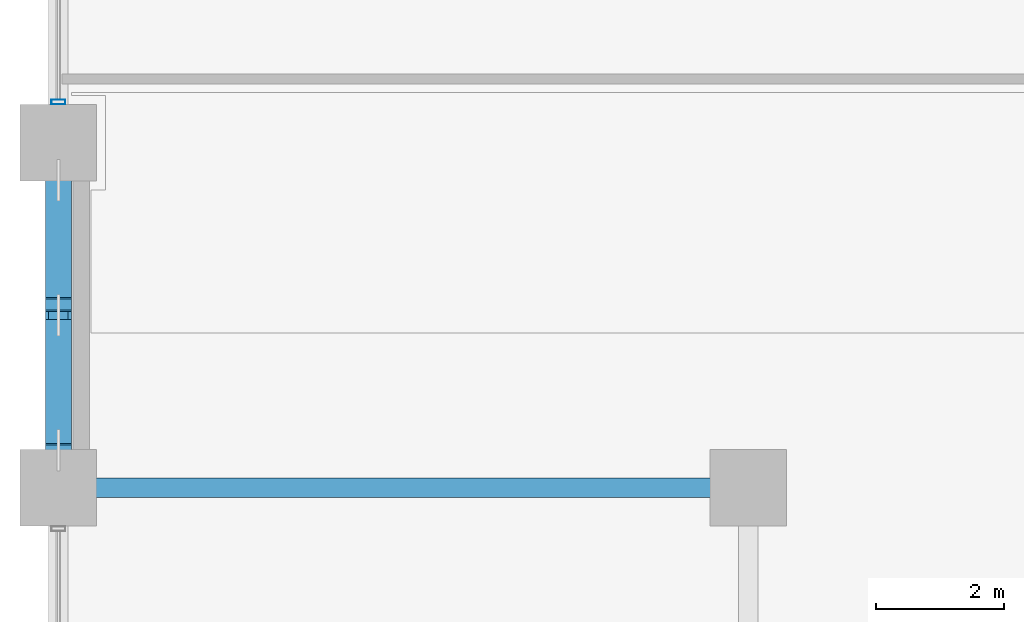
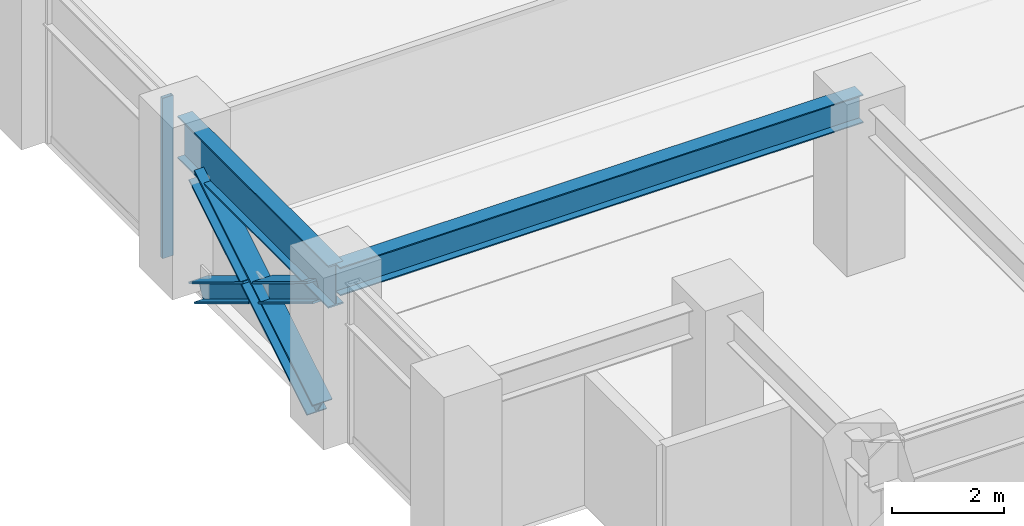
# One storey, part 3 of 26: 4 members, 2 beams, 1 element without a shape of its own.
"""IFC4 building model written with IfcOpenShell, lengths in metres."""

from ifc_helpers import new_model, si_unit, direction, frame, origin, origin_2d, place, context, subcontext, project, spatial, hollow_rectangle, i_section, extrude, material, layer, layer_set, material_profile, profile_set, type_object, element, aggregate, save


model = new_model("IFC4")

# Units and contexts
model_context = context("Model", 3, precision=1e-05, world=origin(), true_north=direction((0.0, 1.0)))
body_context = subcontext(model_context, "Body", "Model", "MODEL_VIEW")
ifc_project = project(units=[si_unit("LENGTHUNIT", "METRE"), si_unit("AREAUNIT", "SQUARE_METRE"), si_unit("VOLUMEUNIT", "CUBIC_METRE"), si_unit("PLANEANGLEUNIT", "RADIAN"), si_unit("MASSUNIT", "GRAM", prefix="KILO")], contexts=[model_context])

# Site, building, storey
site_placement = place(None, origin())
site = spatial("IfcSite", under=ifc_project, at=site_placement, CompositionType="ELEMENT")
building_placement = place(site_placement, origin())
building = spatial("IfcBuilding", under=site, at=building_placement, Name="Surkhivell Harbour Commons", CompositionType="ELEMENT")
storey_placement = place(building_placement, frame((0.0, 0.0, 75.0)))
storey = spatial("IfcBuildingStorey", under=building, at=storey_placement, Name="L19", CompositionType="ELEMENT", Elevation=75.0)

# Beams
ifc_material_1 = material(Name="Steel S355", Category="steel")
ifc_material_profile_1 = material_profile(ifc_material_1, i_section(OverallWidth=0.306884765625, OverallDepth=0.6201171875, WebThickness=0.01416015625, FlangeThickness=0.023681640625, at=origin_2d()), Name="UB610x305x179")
ifc_profile_set_1 = profile_set([ifc_material_profile_1], Name="Steel S355")
beam_type_1 = type_object("IfcBeamType", Name="BM-GRD-610A", PredefinedType="BEAM", material=ifc_profile_set_1)
beam_1_placement = place(storey_placement, frame((-32.39990234375, -16.199951171875, 3.18994140625), z_axis=(1.0, 0.0, 0.0), x_axis=(0.0, 1.0, 0.0)))
element("IfcBeam", 1, at=beam_1_placement, inside=storey, type_object=beam_type_1, Name="L19 Floor Girder (-32.4,-16.2)", PredefinedType="BEAM", context=body_context, shape_type="SweptSolid", body=[
    extrude(i_section(OverallWidth=0.306884765625, OverallDepth=0.6201171875, WebThickness=0.01416015625, FlangeThickness=0.023681640625, at=origin_2d()), origin(), (0.0, 0.0, 1.0), 10.7998046875),
])
ifc_material_2 = material(Name="Steel S460", Category="steel")
ifc_material_profile_2 = material_profile(ifc_material_2, i_section(OverallWidth=0.30810546875, OverallDepth=0.927001953125, WebThickness=0.01953125, FlangeThickness=0.031982421875, at=origin_2d()), Name="UB914x305x289")
ifc_profile_set_2 = profile_set([ifc_material_profile_2], Name="Steel S460")
beam_type_2 = type_object("IfcBeamType", Name="BM-SPN-914B", PredefinedType="SPANDREL", material=ifc_profile_set_2)
beam_2_placement = place(storey_placement, frame((-32.39990234375, -16.199951171875, 3.03662109375), z_axis=(0.0, 1.0, 0.0), x_axis=(-1.0, 0.0, 0.0)))
element("IfcBeam", 2, at=beam_2_placement, inside=storey, type_object=beam_type_2, Name="L19 Tube Spandrel (-32.4,-16.2)", PredefinedType="SPANDREL", context=body_context, shape_type="SweptSolid", body=[
    extrude(i_section(OverallWidth=0.30810546875, OverallDepth=0.927001953125, WebThickness=0.01953125, FlangeThickness=0.031982421875, at=origin_2d()), origin(), (0.0, 0.0, 1.0), 5.39990234375),
])

# Curtain wall, member
ifc_material_3 = material(Name="Anodised pale-metal aluminium and insulated glazing", Category="aluminium")
ifc_layer = layer(ifc_material_3, 0.219970703125)
ifc_layer_set = layer_set([ifc_layer], Name="Anodised pale-metal aluminium and insulated glazing")
curtain_wall_type = type_object("IfcCurtainWallType", Name="CW-SYS-Z1", PredefinedType="NOTDEFINED", material=ifc_layer_set)
curtain_wall_placement = place(storey_placement, origin())
curtain_wall = element("IfcCurtainWall", 3, at=curtain_wall_placement, inside=storey, type_object=curtain_wall_type, Name="L19 Curtain Wall CW-L19-E12S1", PredefinedType="NOTDEFINED")
ifc_material_4 = material(Name="Anodised pale-metal aluminium alloy 6063-T6", Category="aluminium")
ifc_material_profile_3 = material_profile(ifc_material_4, hollow_rectangle(XDim=0.074951171875, YDim=0.219970703125, WallThickness=0.00390625, at=origin_2d()), Name="ALU-MULL-75x220")
ifc_profile_set_3 = profile_set([ifc_material_profile_3], Name="Anodised pale-metal aluminium alloy 6063-T6")
member_type_1 = type_object("IfcMemberType", Name="CWM-220", PredefinedType="MULLION", material=ifc_profile_set_3)
member_1_placement = place(storey_placement, frame((-32.39990234375, -10.160400390625, 0.0), z_axis=(0.0, 0.0, 1.0), x_axis=(0.0, -1.0, 0.0)))
member_1 = element("IfcMember", 4, at=member_1_placement, type_object=member_type_1, Name="CW-Z1 mullion 7", PredefinedType="MULLION", context=body_context, shape_type="SweptSolid", body=[
    extrude(hollow_rectangle(XDim=0.074951171875, YDim=0.219970703125, WallThickness=0.00390625, at=origin_2d()), origin(), (0.0, 0.0, 1.0), 3.5),
])
aggregate(curtain_wall, [member_1])

# Members
ifc_material_profile_4 = material_profile(ifc_material_2, i_section(OverallWidth=0.406005859375, OverallDepth=0.416015625, WebThickness=0.026611328125, FlangeThickness=0.0390625, at=origin_2d()), Name="HD400x382")
ifc_profile_set_4 = profile_set([ifc_material_profile_4], Name="Steel S460")
member_type_2 = type_object("IfcMemberType", Name="MEM-BRC-HD382", PredefinedType="BRACE", material=ifc_profile_set_4)
member_2_placement = place(storey_placement, frame((-32.39990234375, -15.614990234375, 0.008056640625), z_axis=(0.0, 0.854729672163, 0.519073393195), x_axis=(-1.0, 0.0, 0.0)))
element("IfcMember", 5, at=member_2_placement, inside=storey, type_object=member_type_2, Name="L19 Perimeter Mega-Brace MB- 10", PredefinedType="BRACE", context=body_context, shape_type="SweptSolid", body=[
    extrude(i_section(OverallWidth=0.406005859375, OverallDepth=0.416015625, WebThickness=0.026611328125, FlangeThickness=0.0390625, at=origin_2d()), origin(), (0.0, 0.0, 1.0), 4.948974609375),
])
for number, where, z_axis, x_axis, name in (
    (6, (-32.39990234375, -11.385009765625, 0.008056640625), (0.0, -0.85475350478, 0.519034147302), (1.0, 0.0, 0.0), "L19 Perimeter Mega-Brace MB- 11"),
    (7, (-32.39990234375, -13.670654296875, 1.396240234375), (0.0, -0.85475350478, 0.519034147302), (1.0, 0.0, 0.0), "L19 Perimeter Mega-Brace MB- 12"),
):
    element("IfcMember", number, at=place(storey_placement, frame(where, z_axis=z_axis, x_axis=x_axis)), inside=storey, type_object=member_type_2, Name=name, PredefinedType="BRACE", context=body_context, shape_type="SweptSolid", body=[
        extrude(i_section(OverallWidth=0.406005859375, OverallDepth=0.416015625, WebThickness=0.026611328125, FlangeThickness=0.0390625, at=origin_2d()), origin(), (0.0, 0.0, 1.0), 2.274658203125),
    ])

save(model, "model.ifc")
